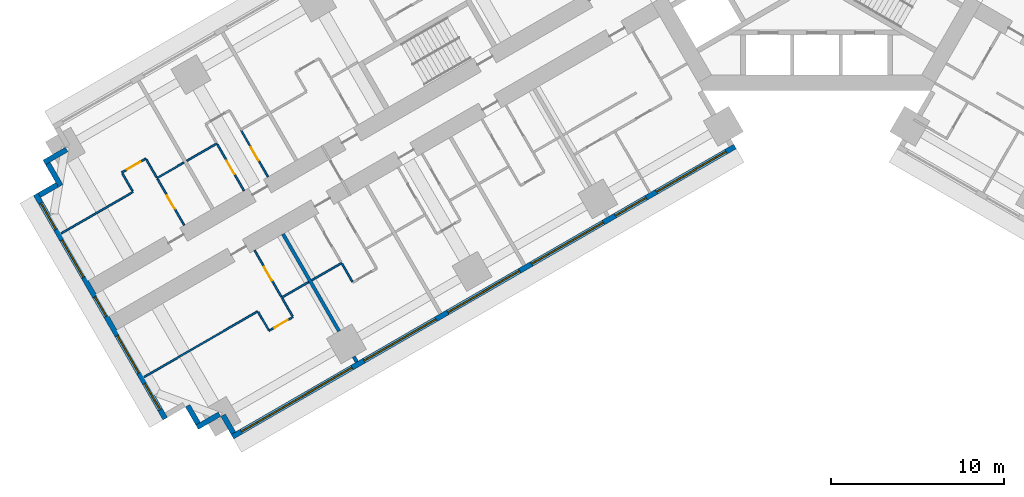
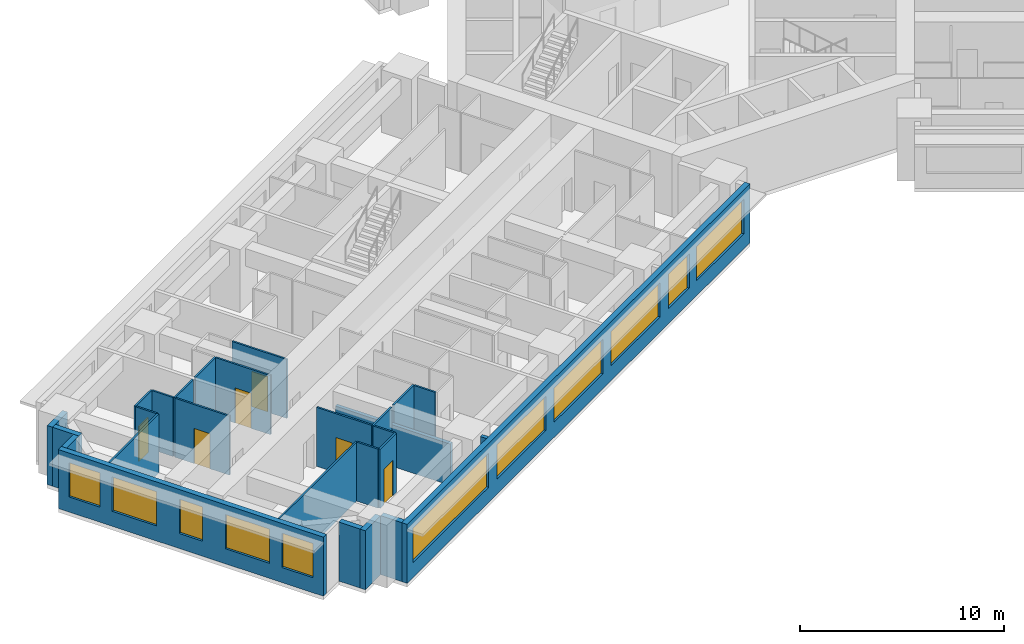
# One storey, part 3 of 16: 27 walls, 11 windows, 6 doors, 17 openings.
"""IFC4 building model written with IfcOpenShell, lengths in metres."""

from ifc_helpers import new_model, si_unit, direction, frame, frame_2d, origin, place, context, subcontext, project, spatial, rectangle, extrude, material, layer, layer_set, type_object, element, fill, save


model = new_model("IFC4")

# Units and contexts
model_context = context("Model", 3, precision=1e-05, world=origin(), true_north=direction((0.0, 1.0)))
body_context = subcontext(model_context, "Body", "Model", "MODEL_VIEW")
ifc_project = project(units=[si_unit("LENGTHUNIT", "METRE"), si_unit("AREAUNIT", "SQUARE_METRE"), si_unit("VOLUMEUNIT", "CUBIC_METRE"), si_unit("PLANEANGLEUNIT", "RADIAN"), si_unit("MASSUNIT", "GRAM", prefix="KILO")], contexts=[model_context])

# Site, building, storey
site_placement = place(None, origin())
site = spatial("IfcSite", under=ifc_project, at=site_placement, CompositionType="ELEMENT")
building_placement = place(site_placement, origin())
building = spatial("IfcBuilding", under=site, at=building_placement, Name="Impinga Residences", CompositionType="ELEMENT")
storey_placement = place(building_placement, frame((0.0, 0.0, 37.25)))
storey = spatial("IfcBuildingStorey", under=building, at=storey_placement, Name="L08", CompositionType="ELEMENT", Elevation=37.25)

# Walls
ifc_material_1 = material(Name="Terracotta rainscreen on blockwork", Category="masonry")
ifc_layer_1 = layer(ifc_material_1, 0.300048828125)
ifc_layer_set_1 = layer_set([ifc_layer_1], Name="EW1 external wall, terracotta rainscreen on blockwork 300")
wall_type_1 = type_object("IfcWallType", Name="EW1 external wall, terracotta rainscreen on blockwork 300", PredefinedType="SOLIDWALL", material=ifc_layer_set_1)
wall_1_placement = place(storey_placement, frame((-33.7685546875, -31.274169921875, 0.0), z_axis=(0.0, 0.0, 1.0), x_axis=(-0.499940577336, 0.866059708757, 0.0)))
element("IfcWall", 1, at=wall_1_placement, inside=storey, type_object=wall_type_1, Name="External wall EW1 L08", PredefinedType="SOLIDWALL", context=body_context, shape_type="SweptSolid", body=[
    extrude(rectangle(XDim=1.195068359375, YDim=0.300048828125, at=frame_2d((0.59765625, 0.0))), origin(), (0.0, 0.0, 1.0), 3.530029296875),
])
wall_2_placement = place(storey_placement, frame((-34.573486328125, -30.18017578125, 0.0), z_axis=(0.0, 0.0, 1.0), x_axis=(-0.866031096941, -0.499990139034, 0.0)))
element("IfcWall", 2, at=wall_2_placement, inside=storey, type_object=wall_type_1, Name="External wall EW1 L08", PredefinedType="SOLIDWALL", context=body_context, shape_type="SweptSolid", body=[
    extrude(rectangle(XDim=1.5, YDim=0.300048828125, at=frame_2d((0.75, 0.0))), origin(), (0.0, 0.0, 1.0), 3.530029296875),
])
wall_3_placement = place(storey_placement, frame((-35.817626953125, -30.72509765625, 0.0), z_axis=(0.0, 0.0, 1.0), x_axis=(-0.499969057507, 0.866043267704, 0.0)))
element("IfcWall", 3, at=wall_3_placement, inside=storey, type_object=wall_type_1, Name="External wall EW1 L08", PredefinedType="SOLIDWALL", context=body_context, shape_type="SweptSolid", body=[
    extrude(rectangle(XDim=1.19970703125, YDim=0.300048828125, at=frame_2d((0.599853515625, 0.0))), origin(), (0.0, 0.0, 1.0), 3.530029296875),
])

# Wall, openings, windows
wall_4_placement = place(storey_placement, frame((-37.716552734375, -30.43603515625, 0.0), z_axis=(0.0, 0.0, 1.0), x_axis=(-0.499997186618, 0.866027028085, 0.0)))
wall_4 = element("IfcWall", 4, at=wall_4_placement, inside=storey, type_object=wall_type_1, Name="External wall EW1 L08", PredefinedType="SOLIDWALL", context=body_context, shape_type="SweptSolid", body=[
    extrude(rectangle(XDim=15.0, YDim=0.300048828125, at=frame_2d((7.5, 0.0))), origin(), (0.0, 0.0, 1.0), 3.530029296875),
])
opening_1_placement = place(wall_4_placement, frame((0.60009765625, 0.0, 0.89990234375)))
opening_1 = element("IfcOpeningElement", 5, at=opening_1_placement, cuts=wall_4, Name="Opening W1", PredefinedType="OPENING", context=body_context, shape_type="SweptSolid", body=[
    extrude(rectangle(XDim=1.75, YDim=2.050048828125, at=frame_2d((0.875, 1.02490234375))), frame((0.0, 0.159912109375, 0.0), z_axis=(0.0, -1.0, 0.0), x_axis=(1.0, 0.0, 0.0)), (0.0, 0.0, 1.0), 0.320068359375),
])
opening_2_placement = place(wall_4_placement, frame((3.050048828125, 0.0, 0.89990234375)))
opening_2 = element("IfcOpeningElement", 6, at=opening_2_placement, cuts=wall_4, Name="Opening W2", PredefinedType="OPENING", context=body_context, shape_type="SweptSolid", body=[
    extrude(rectangle(XDim=2.5, YDim=2.050048828125, at=frame_2d((1.25, 1.02490234375))), frame((0.0, 0.159912109375, 0.0), z_axis=(0.0, -1.0, 0.0), x_axis=(1.0, 0.0, 0.0)), (0.0, 0.0, 1.0), 0.320068359375),
])
opening_3_placement = place(wall_4_placement, frame((6.85009765625, 0.0, 0.89990234375)))
opening_3 = element("IfcOpeningElement", 7, at=opening_3_placement, cuts=wall_4, Name="Opening WE1", PredefinedType="OPENING", context=body_context, shape_type="SweptSolid", body=[
    extrude(rectangle(XDim=1.300048828125, YDim=2.050048828125, at=frame_2d((0.64990234375, 1.02490234375))), frame((0.0, 0.159912109375, 0.0), z_axis=(0.0, -1.0, 0.0), x_axis=(1.0, 0.0, 0.0)), (0.0, 0.0, 1.0), 0.320068359375),
])
opening_4_placement = place(wall_4_placement, frame((9.449951171875, 0.0, 0.89990234375)))
opening_4 = element("IfcOpeningElement", 8, at=opening_4_placement, cuts=wall_4, Name="Opening W2", PredefinedType="OPENING", context=body_context, shape_type="SweptSolid", body=[
    extrude(rectangle(XDim=2.5, YDim=2.050048828125, at=frame_2d((1.25, 1.02490234375))), frame((0.0, 0.159912109375, 0.0), z_axis=(0.0, -1.0, 0.0), x_axis=(1.0, 0.0, 0.0)), (0.0, 0.0, 1.0), 0.320068359375),
])
opening_5_placement = place(wall_4_placement, frame((12.64990234375, 0.0, 0.89990234375)))
opening_5 = element("IfcOpeningElement", 9, at=opening_5_placement, cuts=wall_4, Name="Opening W1", PredefinedType="OPENING", context=body_context, shape_type="SweptSolid", body=[
    extrude(rectangle(XDim=1.75, YDim=2.050048828125, at=frame_2d((0.875, 1.02490234375))), frame((0.0, 0.159912109375, 0.0), z_axis=(0.0, -1.0, 0.0), x_axis=(1.0, 0.0, 0.0)), (0.0, 0.0, 1.0), 0.320068359375),
])
ifc_material_2 = material(Name="Aluminium window, clear double glazing", Category="aluminium")
window_type_1 = type_object("IfcWindowType", Name="W1 ribbon window 1750x2050", PartitioningType="SINGLE_PANEL", PredefinedType="WINDOW", material=ifc_material_2)
window_1_placement = place(opening_1_placement, origin())
window_1 = element("IfcWindow", 10, at=window_1_placement, inside=storey, type_object=window_type_1, Name="Window L08", OverallHeight=2.050048828125, OverallWidth=1.75, PartitioningType="SINGLE_PANEL", PredefinedType="WINDOW", context=body_context, shape_type="SweptSolid", body=[
    extrude(rectangle(XDim=1.75, YDim=2.050048828125, at=frame_2d((0.875, 1.02490234375))), frame((0.0, 0.030029296875, 0.0), z_axis=(0.0, -1.0, 0.0), x_axis=(1.0, 0.0, 0.0)), (0.0, 0.0, 1.0), 0.06005859375),
])
fill(opening_1, window_1)
window_2_placement = place(opening_5_placement, origin())
window_2 = element("IfcWindow", 11, at=window_2_placement, inside=storey, type_object=window_type_1, Name="Window L08", OverallHeight=2.050048828125, OverallWidth=1.75, PartitioningType="SINGLE_PANEL", PredefinedType="WINDOW", context=body_context, shape_type="SweptSolid", body=[
    extrude(rectangle(XDim=1.75, YDim=2.050048828125, at=frame_2d((0.875, 1.02490234375))), frame((0.0, 0.030029296875, 0.0), z_axis=(0.0, -1.0, 0.0), x_axis=(1.0, 0.0, 0.0)), (0.0, 0.0, 1.0), 0.06005859375),
])
fill(opening_5, window_2)
window_type_2 = type_object("IfcWindowType", Name="W2 ribbon window 2500x2050", PartitioningType="SINGLE_PANEL", PredefinedType="WINDOW", material=ifc_material_2)
window_3_placement = place(opening_2_placement, origin())
window_3 = element("IfcWindow", 12, at=window_3_placement, inside=storey, type_object=window_type_2, Name="Window L08", OverallHeight=2.050048828125, OverallWidth=2.5, PartitioningType="SINGLE_PANEL", PredefinedType="WINDOW", context=body_context, shape_type="SweptSolid", body=[
    extrude(rectangle(XDim=2.5, YDim=2.050048828125, at=frame_2d((1.25, 1.02490234375))), frame((0.0, 0.030029296875, 0.0), z_axis=(0.0, -1.0, 0.0), x_axis=(1.0, 0.0, 0.0)), (0.0, 0.0, 1.0), 0.06005859375),
])
fill(opening_2, window_3)
window_4_placement = place(opening_4_placement, origin())
window_4 = element("IfcWindow", 13, at=window_4_placement, inside=storey, type_object=window_type_2, Name="Window L08", OverallHeight=2.050048828125, OverallWidth=2.5, PartitioningType="SINGLE_PANEL", PredefinedType="WINDOW", context=body_context, shape_type="SweptSolid", body=[
    extrude(rectangle(XDim=2.5, YDim=2.050048828125, at=frame_2d((1.25, 1.02490234375))), frame((0.0, 0.030029296875, 0.0), z_axis=(0.0, -1.0, 0.0), x_axis=(1.0, 0.0, 0.0)), (0.0, 0.0, 1.0), 0.06005859375),
])
fill(opening_4, window_4)
window_type_3 = type_object("IfcWindowType", Name="WE1 corridor window 1300x2050", PartitioningType="SINGLE_PANEL", PredefinedType="WINDOW", material=ifc_material_2)
window_5_placement = place(opening_3_placement, origin())
window_5 = element("IfcWindow", 14, at=window_5_placement, inside=storey, type_object=window_type_3, Name="Window L08", OverallHeight=2.050048828125, OverallWidth=1.300048828125, PartitioningType="SINGLE_PANEL", PredefinedType="WINDOW", context=body_context, shape_type="SweptSolid", body=[
    extrude(rectangle(XDim=1.300048828125, YDim=2.050048828125, at=frame_2d((0.64990234375, 1.02490234375))), frame((0.0, 0.030029296875, 0.0), z_axis=(0.0, -1.0, 0.0), x_axis=(1.0, 0.0, 0.0)), (0.0, 0.0, 1.0), 0.06005859375),
])
fill(opening_3, window_5)

# Walls
wall_5_placement = place(storey_placement, frame((-45.01171875, -17.50048828125, 0.0), z_axis=(0.0, 0.0, 1.0), x_axis=(0.866059708757, 0.499940577336, 0.0)))
element("IfcWall", 15, at=wall_5_placement, inside=storey, type_object=wall_type_1, Name="External wall EW1 L08", PredefinedType="SOLIDWALL", context=body_context, shape_type="SweptSolid", body=[
    extrude(rectangle(XDim=1.195068359375, YDim=0.300048828125, at=frame_2d((0.59765625, 0.0))), origin(), (0.0, 0.0, 1.0), 3.530029296875),
])
for number, where, z_axis, x_axis, name in (
    (16, (-43.767578125, -16.955322265625, 0.0), (0.0, 0.0, 1.0), (-0.499990139034, 0.866031096941, 0.0), "External wall EW1 L08"),
    (17, (-44.722412109375, -15.6015625, 0.0), (0.0, 0.0, 1.0), (0.866031096941, 0.499990139034, 0.0), "External wall EW1 L08"),
):
    element("IfcWall", number, at=place(storey_placement, frame(where, z_axis=z_axis, x_axis=x_axis)), inside=storey, type_object=wall_type_1, Name=name, PredefinedType="SOLIDWALL", context=body_context, shape_type="SweptSolid", body=[
        extrude(rectangle(XDim=1.5, YDim=0.300048828125, at=frame_2d((0.75, 0.0))), origin(), (0.0, 0.0, 1.0), 3.530029296875),
    ])

# Wall, openings, windows
wall_6_placement = place(storey_placement, frame((-4.72509765625, -14.67919921875, 0.0), z_axis=(0.0, 0.0, 1.0), x_axis=(-0.866024291668, -0.500001926238, 0.0)))
wall_6 = element("IfcWall", 18, at=wall_6_placement, inside=storey, type_object=wall_type_1, Name="External wall EW1 L08", PredefinedType="SOLIDWALL", context=body_context, shape_type="SweptSolid", body=[
    extrude(rectangle(XDim=33.599853515625, YDim=0.300048828125, at=frame_2d((16.7998046875, 0.0))), origin(), (0.0, 0.0, 1.0), 3.530029296875),
])
opening_6_placement = place(wall_6_placement, frame((0.60009765625, 0.0, 0.89990234375)))
opening_6 = element("IfcOpeningElement", 19, at=opening_6_placement, cuts=wall_6, Name="Opening W10", PredefinedType="OPENING", context=body_context, shape_type="SweptSolid", body=[
    extrude(rectangle(XDim=4.64990234375, YDim=2.050048828125, at=frame_2d((2.324951171875, 1.02490234375))), frame((0.0, 0.159912109375, 0.0), z_axis=(0.0, -1.0, 0.0), x_axis=(1.0, 0.0, 0.0)), (0.0, 0.0, 1.0), 0.320068359375),
])
opening_7_placement = place(wall_6_placement, frame((5.949951171875, 0.0, 0.89990234375)))
opening_7 = element("IfcOpeningElement", 20, at=opening_7_placement, cuts=wall_6, Name="Opening W14", PredefinedType="OPENING", context=body_context, shape_type="SweptSolid", body=[
    extrude(rectangle(XDim=2.050048828125, YDim=2.050048828125, at=frame_2d((1.02490234375, 1.02490234375))), frame((0.0, 0.159912109375, 0.0), z_axis=(0.0, -1.0, 0.0), x_axis=(1.0, 0.0, 0.0)), (0.0, 0.0, 1.0), 0.320068359375),
])
opening_8_placement = place(wall_6_placement, frame((8.800048828125, 0.0, 0.89990234375)))
opening_8 = element("IfcOpeningElement", 21, at=opening_8_placement, cuts=wall_6, Name="Opening W8", PredefinedType="OPENING", context=body_context, shape_type="SweptSolid", body=[
    extrude(rectangle(XDim=4.800048828125, YDim=2.050048828125, at=frame_2d((2.39990234375, 1.02490234375))), frame((0.0, 0.159912109375, 0.0), z_axis=(0.0, -1.0, 0.0), x_axis=(1.0, 0.0, 0.0)), (0.0, 0.0, 1.0), 0.320068359375),
])
opening_9_placement = place(wall_6_placement, frame((14.39990234375, 0.0, 0.89990234375)))
opening_9 = element("IfcOpeningElement", 22, at=opening_9_placement, cuts=wall_6, Name="Opening W8", PredefinedType="OPENING", context=body_context, shape_type="SweptSolid", body=[
    extrude(rectangle(XDim=4.800048828125, YDim=2.050048828125, at=frame_2d((2.39990234375, 1.02490234375))), frame((0.0, 0.159912109375, 0.0), z_axis=(0.0, -1.0, 0.0), x_axis=(1.0, 0.0, 0.0)), (0.0, 0.0, 1.0), 0.320068359375),
])
opening_10_placement = place(wall_6_placement, frame((20.0, 0.0, 0.89990234375)))
opening_10 = element("IfcOpeningElement", 23, at=opening_10_placement, cuts=wall_6, Name="Opening W8", PredefinedType="OPENING", context=body_context, shape_type="SweptSolid", body=[
    extrude(rectangle(XDim=4.800048828125, YDim=2.050048828125, at=frame_2d((2.39990234375, 1.02490234375))), frame((0.0, 0.159912109375, 0.0), z_axis=(0.0, -1.0, 0.0), x_axis=(1.0, 0.0, 0.0)), (0.0, 0.0, 1.0), 0.320068359375),
])
opening_11_placement = place(wall_6_placement, frame((25.60009765625, 0.0, 0.89990234375)))
opening_11 = element("IfcOpeningElement", 24, at=opening_11_placement, cuts=wall_6, Name="Opening W12", PredefinedType="OPENING", context=body_context, shape_type="SweptSolid", body=[
    extrude(rectangle(XDim=7.39990234375, YDim=2.050048828125, at=frame_2d((3.699951171875, 1.02490234375))), frame((0.0, 0.159912109375, 0.0), z_axis=(0.0, -1.0, 0.0), x_axis=(1.0, 0.0, 0.0)), (0.0, 0.0, 1.0), 0.320068359375),
])
window_type_4 = type_object("IfcWindowType", Name="W10 ribbon window 4650x2050", PartitioningType="SINGLE_PANEL", PredefinedType="WINDOW", material=ifc_material_2)
window_6_placement = place(opening_6_placement, origin())
window_6 = element("IfcWindow", 25, at=window_6_placement, inside=storey, type_object=window_type_4, Name="Window L08", OverallHeight=2.050048828125, OverallWidth=4.64990234375, PartitioningType="SINGLE_PANEL", PredefinedType="WINDOW", context=body_context, shape_type="SweptSolid", body=[
    extrude(rectangle(XDim=4.64990234375, YDim=2.050048828125, at=frame_2d((2.324951171875, 1.02490234375))), frame((0.0, 0.030029296875, 0.0), z_axis=(0.0, -1.0, 0.0), x_axis=(1.0, 0.0, 0.0)), (0.0, 0.0, 1.0), 0.06005859375),
])
fill(opening_6, window_6)
window_type_5 = type_object("IfcWindowType", Name="W12 ribbon window 7400x2050", PartitioningType="SINGLE_PANEL", PredefinedType="WINDOW", material=ifc_material_2)
window_7_placement = place(opening_11_placement, origin())
window_7 = element("IfcWindow", 26, at=window_7_placement, inside=storey, type_object=window_type_5, Name="Window L08", OverallHeight=2.050048828125, OverallWidth=7.39990234375, PartitioningType="SINGLE_PANEL", PredefinedType="WINDOW", context=body_context, shape_type="SweptSolid", body=[
    extrude(rectangle(XDim=7.39990234375, YDim=2.050048828125, at=frame_2d((3.699951171875, 1.02490234375))), frame((0.0, 0.030029296875, 0.0), z_axis=(0.0, -1.0, 0.0), x_axis=(1.0, 0.0, 0.0)), (0.0, 0.0, 1.0), 0.06005859375),
])
fill(opening_11, window_7)
window_type_6 = type_object("IfcWindowType", Name="W14 ribbon window 2050x2050", PartitioningType="SINGLE_PANEL", PredefinedType="WINDOW", material=ifc_material_2)
window_8_placement = place(opening_7_placement, origin())
window_8 = element("IfcWindow", 27, at=window_8_placement, inside=storey, type_object=window_type_6, Name="Window L08", OverallHeight=2.050048828125, OverallWidth=2.050048828125, PartitioningType="SINGLE_PANEL", PredefinedType="WINDOW", context=body_context, shape_type="SweptSolid", body=[
    extrude(rectangle(XDim=2.050048828125, YDim=2.050048828125, at=frame_2d((1.02490234375, 1.02490234375))), frame((0.0, 0.030029296875, 0.0), z_axis=(0.0, -1.0, 0.0), x_axis=(1.0, 0.0, 0.0)), (0.0, 0.0, 1.0), 0.06005859375),
])
fill(opening_7, window_8)
window_type_7 = type_object("IfcWindowType", Name="W8 ribbon window 4800x2050", PartitioningType="SINGLE_PANEL", PredefinedType="WINDOW", material=ifc_material_2)
window_9_placement = place(opening_8_placement, origin())
window_9 = element("IfcWindow", 28, at=window_9_placement, inside=storey, type_object=window_type_7, Name="Window L08", OverallHeight=2.050048828125, OverallWidth=4.800048828125, PartitioningType="SINGLE_PANEL", PredefinedType="WINDOW", context=body_context, shape_type="SweptSolid", body=[
    extrude(rectangle(XDim=4.800048828125, YDim=2.050048828125, at=frame_2d((2.39990234375, 1.02490234375))), frame((0.0, 0.030029296875, 0.0), z_axis=(0.0, -1.0, 0.0), x_axis=(1.0, 0.0, 0.0)), (0.0, 0.0, 1.0), 0.06005859375),
])
fill(opening_8, window_9)
window_10_placement = place(opening_9_placement, origin())
window_10 = element("IfcWindow", 29, at=window_10_placement, inside=storey, type_object=window_type_7, Name="Window L08", OverallHeight=2.050048828125, OverallWidth=4.800048828125, PartitioningType="SINGLE_PANEL", PredefinedType="WINDOW", context=body_context, shape_type="SweptSolid", body=[
    extrude(rectangle(XDim=4.800048828125, YDim=2.050048828125, at=frame_2d((2.39990234375, 1.02490234375))), frame((0.0, 0.030029296875, 0.0), z_axis=(0.0, -1.0, 0.0), x_axis=(1.0, 0.0, 0.0)), (0.0, 0.0, 1.0), 0.06005859375),
])
fill(opening_9, window_10)
window_11_placement = place(opening_10_placement, origin())
window_11 = element("IfcWindow", 30, at=window_11_placement, inside=storey, type_object=window_type_7, Name="Window L08", OverallHeight=2.050048828125, OverallWidth=4.800048828125, PartitioningType="SINGLE_PANEL", PredefinedType="WINDOW", context=body_context, shape_type="SweptSolid", body=[
    extrude(rectangle(XDim=4.800048828125, YDim=2.050048828125, at=frame_2d((2.39990234375, 1.02490234375))), frame((0.0, 0.030029296875, 0.0), z_axis=(0.0, -1.0, 0.0), x_axis=(1.0, 0.0, 0.0)), (0.0, 0.0, 1.0), 0.06005859375),
])
fill(opening_10, window_11)

# Walls
ifc_material_3 = material(Name="Gypsum board on steel studs", Category="steel")
ifc_layer_2 = layer(ifc_material_3, 0.10009765625)
ifc_layer_set_2 = layer_set([ifc_layer_2], Name="Gypsum board on steel studs")
wall_type_2 = type_object("IfcWallType", Name="IP1 partition 100", PredefinedType="PARTITIONING", material=ifc_layer_set_2)
wall_7_placement = place(storey_placement, frame((-27.505126953125, -21.422607421875, 0.0), z_axis=(0.0, 0.0, 1.0), x_axis=(-0.866041268327, -0.499972520799, 0.0)))
element("IfcWall", 31, at=wall_7_placement, inside=storey, type_object=wall_type_2, Name="Partition L08-WA4:DIV1", PredefinedType="PARTITIONING", context=body_context, shape_type="SweptSolid", body=[
    extrude(rectangle(XDim=2.0, YDim=0.10009765625, at=frame_2d((1.0, 0.0))), origin(), (0.0, 0.0, 1.0), 3.530029296875),
])
wall_8_placement = place(storey_placement, frame((-27.480224609375, -21.466064453125, 0.0), z_axis=(0.0, 0.0, 1.0), x_axis=(0.50012165622, -0.865955154139, 0.0)))
element("IfcWall", 32, at=wall_8_placement, inside=storey, type_object=wall_type_2, Name="Partition L08-WA4:SE1", PredefinedType="PARTITIONING", context=body_context, shape_type="SweptSolid", body=[
    extrude(rectangle(XDim=1.199951171875, YDim=0.10009765625, at=frame_2d((0.60009765625, 0.0))), origin(), (0.0, 0.0, 1.0), 3.530029296875),
])
wall_9_placement = place(storey_placement, frame((-29.410400390625, -22.522705078125, 0.0), z_axis=(0.0, 0.0, 1.0), x_axis=(-0.866047807691, -0.499961193289, 0.0)))
element("IfcWall", 33, at=wall_9_placement, inside=storey, type_object=wall_type_2, Name="Partition L08-WA5:DIV0", PredefinedType="PARTITIONING", context=body_context, shape_type="SweptSolid", body=[
    extrude(rectangle(XDim=1.800048828125, YDim=0.10009765625, at=frame_2d((0.89990234375, 0.0))), origin(), (0.0, 0.0, 1.0), 3.530029296875),
])
wall_10_placement = place(storey_placement, frame((-32.35498046875, -24.22265625, 0.0), z_axis=(0.0, 0.0, 1.0), x_axis=(-0.866022425744, -0.500005158081, 0.0)))
element("IfcWall", 34, at=wall_10_placement, inside=storey, type_object=wall_type_2, Name="Partition L08-WA5:DIV1", PredefinedType="PARTITIONING", context=body_context, shape_type="SweptSolid", body=[
    extrude(rectangle(XDim=7.60009765625, YDim=0.10009765625, at=frame_2d((3.800048828125, 0.0))), origin(), (0.0, 0.0, 1.0), 3.530029296875),
])

# Wall, opening, door
wall_11_placement = place(storey_placement, frame((-30.3193359375, -24.548583984375, 0.0), z_axis=(0.0, 0.0, 1.0), x_axis=(-0.865989903783, -0.500061482766, 0.0)))
wall_11 = element("IfcWall", 35, at=wall_11_placement, inside=storey, type_object=wall_type_2, Name="Partition L08-WA5:STRIP", PredefinedType="PARTITIONING", context=body_context, shape_type="SweptSolid", body=[
    extrude(rectangle(XDim=1.599853515625, YDim=0.10009765625, at=frame_2d((0.7998046875, 0.0))), origin(), (0.0, 0.0, 1.0), 3.530029296875),
])
opening_12_placement = place(wall_11_placement, frame((0.35009765625, 0.0, 0.0)))
opening_12 = element("IfcOpeningElement", 36, at=opening_12_placement, cuts=wall_11, Name="Opening D2", PredefinedType="OPENING", context=body_context, shape_type="SweptSolid", body=[
    extrude(rectangle(XDim=0.89990234375, YDim=2.10009765625, at=frame_2d((0.449951171875, 1.050048828125))), frame((0.0, 0.06005859375, 0.0), z_axis=(0.0, -1.0, 0.0), x_axis=(1.0, 0.0, 0.0)), (0.0, 0.0, 1.0), 0.1201171875),
])
ifc_material_4 = material(Name="Timber door set", Category="wood")
door_type = type_object("IfcDoorType", Name="D2 internal door 900x2100", OperationType="SINGLE_SWING_LEFT", PredefinedType="DOOR", material=ifc_material_4)
door_1_placement = place(opening_12_placement, origin())
door_1 = element("IfcDoor", 37, at=door_1_placement, inside=storey, type_object=door_type, Name="Apartment L08-WA5 room door", OperationType="SINGLE_SWING_LEFT", OverallHeight=2.10009765625, OverallWidth=0.89990234375, PredefinedType="DOOR", context=body_context, shape_type="SweptSolid", body=[
    extrude(rectangle(XDim=0.89990234375, YDim=2.10009765625, at=frame_2d((0.449951171875, 1.050048828125))), frame((0.0, 0.02490234375, 0.0), z_axis=(0.0, -1.0, 0.0), x_axis=(1.0, 0.0, 0.0)), (0.0, 0.0, 1.0), 0.050048828125),
])
fill(opening_12, door_1)

# Walls
for number, where, z_axis, x_axis, name in (
    (38, (-30.9443359375, -23.466064453125, 0.0), (0.0, 0.0, 1.0), (0.50012165622, -0.865955154139, 0.0), "Partition L08-WA5:SE0"),
    (39, (-32.329833984375, -24.265869140625, 0.0), (0.0, 0.0, 1.0), (0.499880961361, -0.866094119867, 0.0), "Partition L08-WA5:SE1"),
):
    element("IfcWall", number, at=place(storey_placement, frame(where, z_axis=z_axis, x_axis=x_axis)), inside=storey, type_object=wall_type_2, Name=name, PredefinedType="PARTITIONING", context=body_context, shape_type="SweptSolid", body=[
        extrude(rectangle(XDim=1.199951171875, YDim=0.10009765625, at=frame_2d((0.60009765625, 0.0))), origin(), (0.0, 0.0, 1.0), 3.530029296875),
    ])

# Wall, opening, door
wall_12_placement = place(storey_placement, frame((-32.544189453125, -20.69482421875, 0.0), z_axis=(0.0, 0.0, 1.0), x_axis=(0.499967891604, -0.866043940782, 0.0)))
wall_12 = element("IfcWall", 40, at=wall_12_placement, inside=storey, type_object=wall_type_2, Name="Partition L08-WA5:IB1", PredefinedType="PARTITIONING", context=body_context, shape_type="SweptSolid", body=[
    extrude(rectangle(XDim=3.099853515625, YDim=0.10009765625, at=frame_2d((1.5498046875, 0.0))), origin(), (0.0, 0.0, 1.0), 3.530029296875),
])
opening_13_placement = place(wall_12_placement, frame((1.10009765625, 0.0, 0.0)))
opening_13 = element("IfcOpeningElement", 41, at=opening_13_placement, cuts=wall_12, Name="Opening D2", PredefinedType="OPENING", context=body_context, shape_type="SweptSolid", body=[
    extrude(rectangle(XDim=0.89990234375, YDim=2.10009765625, at=frame_2d((0.449951171875, 1.050048828125))), frame((0.0, 0.06005859375, 0.0), z_axis=(0.0, -1.0, 0.0), x_axis=(1.0, 0.0, 0.0)), (0.0, 0.0, 1.0), 0.1201171875),
])
door_2_placement = place(opening_13_placement, origin())
door_2 = element("IfcDoor", 42, at=door_2_placement, inside=storey, type_object=door_type, Name="Apartment L08-WA5 bathroom door", OperationType="SINGLE_SWING_LEFT", OverallHeight=2.10009765625, OverallWidth=0.89990234375, PredefinedType="DOOR", context=body_context, shape_type="SweptSolid", body=[
    extrude(rectangle(XDim=0.89990234375, YDim=2.10009765625, at=frame_2d((0.449951171875, 1.050048828125))), frame((0.0, 0.02490234375, 0.0), z_axis=(0.0, -1.0, 0.0), x_axis=(1.0, 0.0, 0.0)), (0.0, 0.0, 1.0), 0.050048828125),
])
fill(opening_13, door_2)

# Wall
wall_13_placement = place(storey_placement, frame((-34.72998046875, -14.5087890625, 0.0), z_axis=(0.0, 0.0, 1.0), x_axis=(-0.866041268327, -0.499972520799, 0.0)))
element("IfcWall", 43, at=wall_13_placement, inside=storey, type_object=wall_type_2, Name="Partition L08-WF3:DIV1", PredefinedType="PARTITIONING", context=body_context, shape_type="SweptSolid", body=[
    extrude(rectangle(XDim=2.0, YDim=0.10009765625, at=frame_2d((1.0, 0.0))), origin(), (0.0, 0.0, 1.0), 3.530029296875),
])

# Wall, opening, door
wall_14_placement = place(storey_placement, frame((-31.76953125, -16.436767578125, 0.0), z_axis=(0.0, 0.0, 1.0), x_axis=(-0.499967891604, 0.866043940782, 0.0)))
wall_14 = element("IfcWall", 44, at=wall_14_placement, inside=storey, type_object=wall_type_2, Name="Partition L08-WF3:IB1", PredefinedType="PARTITIONING", context=body_context, shape_type="SweptSolid", body=[
    extrude(rectangle(XDim=3.099853515625, YDim=0.10009765625, at=frame_2d((1.5498046875, 0.0))), origin(), (0.0, 0.0, 1.0), 3.530029296875),
])
opening_14_placement = place(wall_14_placement, frame((1.10009765625, 0.0, 0.0)))
opening_14 = element("IfcOpeningElement", 45, at=opening_14_placement, cuts=wall_14, Name="Opening D2", PredefinedType="OPENING", context=body_context, shape_type="SweptSolid", body=[
    extrude(rectangle(XDim=0.89990234375, YDim=2.10009765625, at=frame_2d((0.449951171875, 1.050048828125))), frame((0.0, 0.06005859375, 0.0), z_axis=(0.0, -1.0, 0.0), x_axis=(1.0, 0.0, 0.0)), (0.0, 0.0, 1.0), 0.1201171875),
])
door_3_placement = place(opening_14_placement, origin())
door_3 = element("IfcDoor", 46, at=door_3_placement, inside=storey, type_object=door_type, Name="Apartment L08-WF3 bathroom door", OperationType="SINGLE_SWING_LEFT", OverallHeight=2.10009765625, OverallWidth=0.89990234375, PredefinedType="DOOR", context=body_context, shape_type="SweptSolid", body=[
    extrude(rectangle(XDim=0.89990234375, YDim=2.10009765625, at=frame_2d((0.449951171875, 1.050048828125))), frame((0.0, 0.02490234375, 0.0), z_axis=(0.0, -1.0, 0.0), x_axis=(1.0, 0.0, 0.0)), (0.0, 0.0, 1.0), 0.050048828125),
])
fill(opening_14, door_3)

wall_15_placement = place(storey_placement, frame((-33.155029296875, -17.23681640625, 0.0), z_axis=(0.0, 0.0, 1.0), x_axis=(-0.500026960575, 0.86600983753, 0.0)))
wall_15 = element("IfcWall", 47, at=wall_15_placement, inside=storey, type_object=wall_type_2, Name="Partition L08-WF3:IB2", PredefinedType="PARTITIONING", context=body_context, shape_type="SweptSolid", body=[
    extrude(rectangle(XDim=3.099853515625, YDim=0.10009765625, at=frame_2d((1.5498046875, 0.0))), origin(), (0.0, 0.0, 1.0), 3.530029296875),
])
opening_15_placement = place(wall_15_placement, frame((1.10009765625, 0.0, 0.0)))
opening_15 = element("IfcOpeningElement", 48, at=opening_15_placement, cuts=wall_15, Name="Opening D2", PredefinedType="OPENING", context=body_context, shape_type="SweptSolid", body=[
    extrude(rectangle(XDim=0.89990234375, YDim=2.10009765625, at=frame_2d((0.449951171875, 1.050048828125))), frame((0.0, 0.06005859375, 0.0), z_axis=(0.0, -1.0, 0.0), x_axis=(1.0, 0.0, 0.0)), (0.0, 0.0, 1.0), 0.1201171875),
])
door_4_placement = place(opening_15_placement, origin())
door_4 = element("IfcDoor", 49, at=door_4_placement, inside=storey, type_object=door_type, Name="Apartment L08-WF3 WC door", OperationType="SINGLE_SWING_LEFT", OverallHeight=2.10009765625, OverallWidth=0.89990234375, PredefinedType="DOOR", context=body_context, shape_type="SweptSolid", body=[
    extrude(rectangle(XDim=0.89990234375, YDim=2.10009765625, at=frame_2d((0.449951171875, 1.050048828125))), frame((0.0, 0.02490234375, 0.0), z_axis=(0.0, -1.0, 0.0), x_axis=(1.0, 0.0, 0.0)), (0.0, 0.0, 1.0), 0.050048828125),
])
fill(opening_15, door_4)

# Walls
wall_16_placement = place(storey_placement, frame((-36.63525390625, -15.60888671875, 0.0), z_axis=(0.0, 0.0, 1.0), x_axis=(-0.866047807691, -0.499961193289, 0.0)))
element("IfcWall", 50, at=wall_16_placement, inside=storey, type_object=wall_type_2, Name="Partition L08-WF4:DIV0", PredefinedType="PARTITIONING", context=body_context, shape_type="SweptSolid", body=[
    extrude(rectangle(XDim=1.800048828125, YDim=0.10009765625, at=frame_2d((0.89990234375, 0.0))), origin(), (0.0, 0.0, 1.0), 3.530029296875),
])
wall_17_placement = place(storey_placement, frame((-39.579833984375, -17.308837890625, 0.0), z_axis=(0.0, 0.0, 1.0), x_axis=(-0.866037363387, -0.499979284789, 0.0)))
element("IfcWall", 51, at=wall_17_placement, inside=storey, type_object=wall_type_2, Name="Partition L08-WF4:DIV1", PredefinedType="PARTITIONING", context=body_context, shape_type="SweptSolid", body=[
    extrude(rectangle(XDim=4.800048828125, YDim=0.10009765625, at=frame_2d((2.39990234375, 0.0))), origin(), (0.0, 0.0, 1.0), 3.530029296875),
])

# Wall, opening, door
wall_18_placement = place(storey_placement, frame((-38.84423828125, -15.383056640625, 0.0), z_axis=(0.0, 0.0, 1.0), x_axis=(-0.865989903783, -0.500061482766, 0.0)))
wall_18 = element("IfcWall", 52, at=wall_18_placement, inside=storey, type_object=wall_type_2, Name="Partition L08-WF4:STRIP", PredefinedType="PARTITIONING", context=body_context, shape_type="SweptSolid", body=[
    extrude(rectangle(XDim=1.599853515625, YDim=0.10009765625, at=frame_2d((0.7998046875, 0.0))), origin(), (0.0, 0.0, 1.0), 3.530029296875),
])
opening_16_placement = place(wall_18_placement, frame((0.35009765625, 0.0, 0.0)))
opening_16 = element("IfcOpeningElement", 53, at=opening_16_placement, cuts=wall_18, Name="Opening D2", PredefinedType="OPENING", context=body_context, shape_type="SweptSolid", body=[
    extrude(rectangle(XDim=0.89990234375, YDim=2.10009765625, at=frame_2d((0.449951171875, 1.050048828125))), frame((0.0, 0.06005859375, 0.0), z_axis=(0.0, -1.0, 0.0), x_axis=(1.0, 0.0, 0.0)), (0.0, 0.0, 1.0), 0.1201171875),
])
door_5_placement = place(opening_16_placement, origin())
door_5 = element("IfcDoor", 54, at=door_5_placement, inside=storey, type_object=door_type, Name="Apartment L08-WF4 room door", OperationType="SINGLE_SWING_LEFT", OverallHeight=2.10009765625, OverallWidth=0.89990234375, PredefinedType="DOOR", context=body_context, shape_type="SweptSolid", body=[
    extrude(rectangle(XDim=0.89990234375, YDim=2.10009765625, at=frame_2d((0.449951171875, 1.050048828125))), frame((0.0, 0.02490234375, 0.0), z_axis=(0.0, -1.0, 0.0), x_axis=(1.0, 0.0, 0.0)), (0.0, 0.0, 1.0), 0.050048828125),
])
fill(opening_16, door_5)

# Walls
wall_19_placement = place(storey_placement, frame((-38.21923828125, -16.465576171875, 0.0), z_axis=(0.0, 0.0, 1.0), x_axis=(-0.499880961361, 0.866094119867, 0.0)))
element("IfcWall", 55, at=wall_19_placement, inside=storey, type_object=wall_type_2, Name="Partition L08-WF4:SE0", PredefinedType="PARTITIONING", context=body_context, shape_type="SweptSolid", body=[
    extrude(rectangle(XDim=1.199951171875, YDim=0.10009765625, at=frame_2d((0.60009765625, 0.0))), origin(), (0.0, 0.0, 1.0), 3.530029296875),
])
wall_20_placement = place(storey_placement, frame((-39.604736328125, -17.265625, 0.0), z_axis=(0.0, 0.0, 1.0), x_axis=(-0.500033551112, 0.866006032174, 0.0)))
element("IfcWall", 56, at=wall_20_placement, inside=storey, type_object=wall_type_2, Name="Partition L08-WF4:SE1", PredefinedType="PARTITIONING", context=body_context, shape_type="SweptSolid", body=[
    extrude(rectangle(XDim=1.2001953125, YDim=0.10009765625, at=frame_2d((0.60009765625, 0.0))), origin(), (0.0, 0.0, 1.0), 3.530029296875),
])

# Wall, opening, door
wall_21_placement = place(storey_placement, frame((-36.619140625, -19.23681640625, 0.0), z_axis=(0.0, 0.0, 1.0), x_axis=(-0.500026960575, 0.86600983753, 0.0)))
wall_21 = element("IfcWall", 57, at=wall_21_placement, inside=storey, type_object=wall_type_2, Name="Partition L08-WF4:IB1", PredefinedType="PARTITIONING", context=body_context, shape_type="SweptSolid", body=[
    extrude(rectangle(XDim=3.099853515625, YDim=0.10009765625, at=frame_2d((1.5498046875, 0.0))), origin(), (0.0, 0.0, 1.0), 3.530029296875),
])
opening_17_placement = place(wall_21_placement, frame((1.10009765625, 0.0, 0.0)))
opening_17 = element("IfcOpeningElement", 58, at=opening_17_placement, cuts=wall_21, Name="Opening D2", PredefinedType="OPENING", context=body_context, shape_type="SweptSolid", body=[
    extrude(rectangle(XDim=0.89990234375, YDim=2.10009765625, at=frame_2d((0.449951171875, 1.050048828125))), frame((0.0, 0.06005859375, 0.0), z_axis=(0.0, -1.0, 0.0), x_axis=(1.0, 0.0, 0.0)), (0.0, 0.0, 1.0), 0.1201171875),
])
door_6_placement = place(opening_17_placement, origin())
door_6 = element("IfcDoor", 59, at=door_6_placement, inside=storey, type_object=door_type, Name="Apartment L08-WF4 bathroom door", OperationType="SINGLE_SWING_LEFT", OverallHeight=2.10009765625, OverallWidth=0.89990234375, PredefinedType="DOOR", context=body_context, shape_type="SweptSolid", body=[
    extrude(rectangle(XDim=0.89990234375, YDim=2.10009765625, at=frame_2d((0.449951171875, 1.050048828125))), frame((0.0, 0.02490234375, 0.0), z_axis=(0.0, -1.0, 0.0), x_axis=(1.0, 0.0, 0.0)), (0.0, 0.0, 1.0), 0.050048828125),
])
fill(opening_17, door_6)

# Walls
ifc_material_5 = material(Name="Concrete blockwork", Category="masonry")
ifc_layer_3 = layer(ifc_material_5, 0.199951171875)
ifc_layer_set_3 = layer_set([ifc_layer_3], Name="PW1 party wall between apartments 200")
wall_type_3 = type_object("IfcWallType", Name="PW1 party wall between apartments 200", PredefinedType="SOLIDWALL", material=ifc_layer_set_3)
wall_22_placement = place(storey_placement, frame((-30.89892578125, -19.74462890625, 0.0), z_axis=(0.0, 0.0, 1.0), x_axis=(0.50000098154, -0.866024837091, 0.0)))
element("IfcWall", 60, at=wall_22_placement, inside=storey, type_object=wall_type_3, Name="Party wall between apartments L08-WA4:PARTY", PredefinedType="SOLIDWALL", context=body_context, shape_type="SweptSolid", body=[
    extrude(rectangle(XDim=6.5, YDim=0.199951171875, at=frame_2d((3.25, 0.0))), origin(), (0.0, 0.0, 1.0), 2.47998046875),
])
wall_23_placement = place(storey_placement, frame((-26.798828125, -26.84619140625, 0.0), z_axis=(0.0, 0.0, 1.0), x_axis=(0.500265973451, -0.865871789474, 0.0)))
element("IfcWall", 61, at=wall_23_placement, inside=storey, type_object=wall_type_3, Name="Party wall between apartments L08-WA4:PARTYb", PredefinedType="SOLIDWALL", context=body_context, shape_type="SweptSolid", body=[
    extrude(rectangle(XDim=0.349853515625, YDim=0.199951171875, at=frame_2d((0.1748046875, 0.0))), origin(), (0.0, 0.0, 1.0), 3.530029296875),
])

save(model, "model.ifc")
